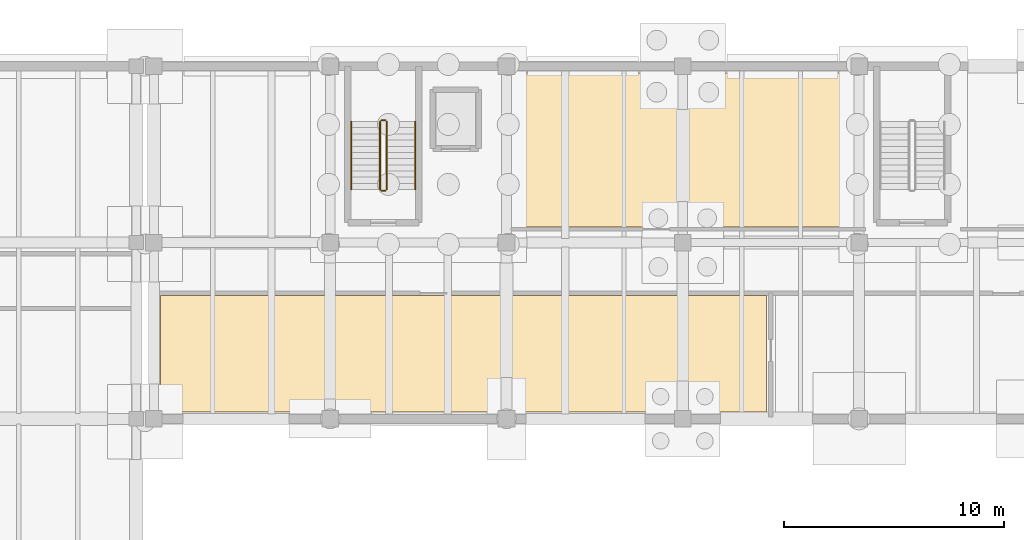
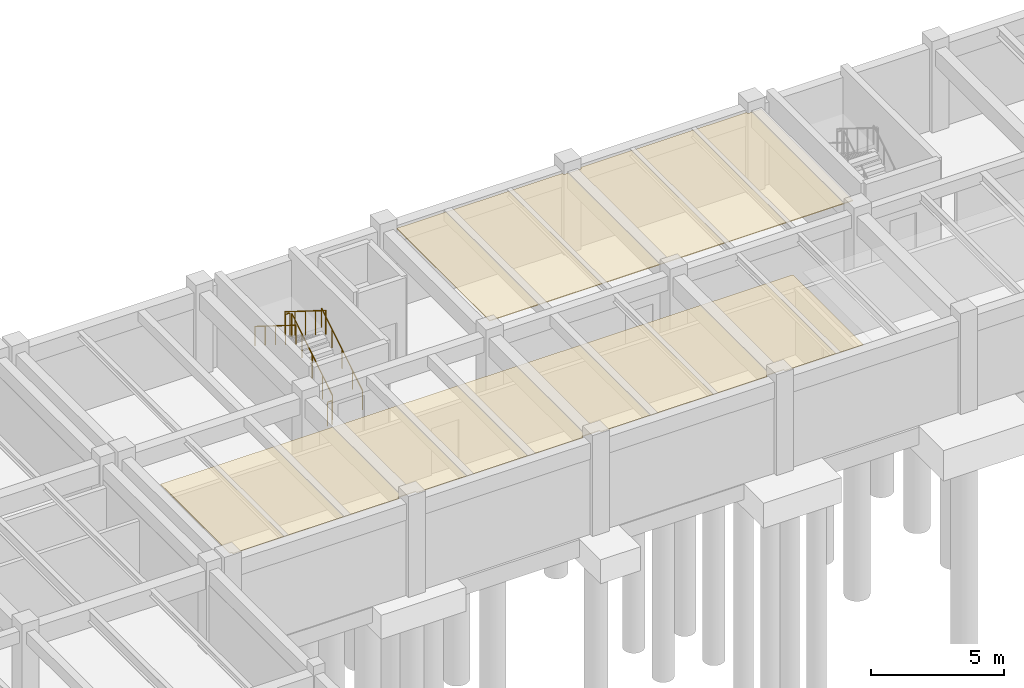
# One storey, part 23 of 25: 6 railings, 2 coverings.
"""IFC4 building model written with IfcOpenShell, lengths in metres."""

from ifc_helpers import new_model, si_unit, direction, frame, origin, origin_2d, place, context, subcontext, project, spatial, polyline, circle, outline, extrude, material, layer, layer_set, type_object, element, save


model = new_model("IFC4")

# Units and contexts
model_context = context("Model", 3, precision=1e-05, world=origin(), true_north=direction((0.0, 1.0)))
body_context = subcontext(model_context, "Body", "Model", "MODEL_VIEW")
ifc_project = project(units=[si_unit("LENGTHUNIT", "METRE"), si_unit("AREAUNIT", "SQUARE_METRE"), si_unit("VOLUMEUNIT", "CUBIC_METRE"), si_unit("PLANEANGLEUNIT", "RADIAN"), si_unit("MASSUNIT", "GRAM", prefix="KILO")], contexts=[model_context])

# Site, building, storey
site_placement = place(None, origin())
site = spatial("IfcSite", under=ifc_project, at=site_placement, CompositionType="ELEMENT")
building_placement = place(site_placement, origin())
building = spatial("IfcBuilding", under=site, at=building_placement, Name="Tlaxcora Railside Police Headquarters", CompositionType="ELEMENT")
storey_placement = place(building_placement, frame((0.0, 0.0, -4.199951171875)))
storey = spatial("IfcBuildingStorey", under=building, at=storey_placement, Name="B1", CompositionType="ELEMENT", Elevation=-4.199951171875)

# Coverings
ifc_material_1 = material(Name="Mineral-fibre acoustic ceiling tile")
ifc_layer = layer(ifc_material_1, 0.034912109375, Name="Mineral-fibre acoustic ceiling tile")
ifc_layer_set = layer_set([ifc_layer], Name="Mineral-fibre acoustic ceiling tile")
covering_type = type_object("IfcCoveringType", Name="Acoustic Suspended Ceiling CLG-01", PredefinedType="CEILING", material=ifc_layer_set)
covering_1_placement = place(storey_placement, frame((0.0, 0.0, 3.68505859375)))
element("IfcCovering", 1, at=covering_1_placement, inside=storey, type_object=covering_type, Name="High-Security Evidence Property Vault suspended ceiling", PredefinedType="CEILING", context=body_context, shape_type="SweptSolid", body=[
    extrude(outline(polyline([(111.18505859375, 77.18505859375), (111.18505859375, 77.10009765625), (118.4150390625, 77.10009765625), (118.4150390625, 77.18505859375), (119.18505859375, 77.18505859375), (119.18505859375, 77.10009765625), (126.4150390625, 77.10009765625), (126.4150390625, 77.18505859375), (127.18505859375, 77.18505859375), (127.18505859375, 77.10009765625), (130.60009765625, 77.10009765625), (130.60009765625, 82.39990234375), (103.10009765625, 82.39990234375), (103.10009765625, 77.18505859375), (103.18505859375, 77.18505859375), (103.18505859375, 77.10009765625), (110.4150390625, 77.10009765625), (110.4150390625, 77.18505859375), (111.18505859375, 77.18505859375)])), origin(), (0.0, 0.0, 1.0), 0.034912109375),
])
covering_2_placement = place(storey_placement, frame((0.0, 0.0, 3.68505859375)))
element("IfcCovering", 2, at=covering_2_placement, inside=storey, type_object=covering_type, Name="Chain-of-Custody Archive Room suspended ceiling", PredefinedType="CEILING", context=body_context, shape_type="SweptSolid", body=[
    extrude(outline(polyline([(135.0, 85.5), (135.0, 92.4150390625), (134.4150390625, 92.4150390625), (134.4150390625, 92.5), (127.18505859375, 92.5), (127.18505859375, 92.4150390625), (126.4150390625, 92.4150390625), (126.4150390625, 92.5), (119.199951171875, 92.5), (119.199951171875, 85.5), (135.0, 85.5)])), origin(), (0.0, 0.0, 1.0), 0.034912109375),
])

# Railings
ifc_material_2 = material(Name="Steel ASTM A992 Grade 50", Category="steel")
railing_type_1 = type_object("IfcRailingType", Name="Stair Well Guard Balustrade GR-02", PredefinedType="BALUSTRADE", material=ifc_material_2)
railing_1_placement = place(storey_placement, frame((113.360107421875, 87.2099609375, 0.175048828125)))
element("IfcRailing", 3, at=railing_1_placement, inside=storey, type_object=railing_type_1, Name="B1 ST3 stair guard 1", PredefinedType="BALUSTRADE", context=body_context, shape_type="SweptSolid", body=[
    extrude(circle(Radius=0.02392578125, at=origin_2d()), frame((0.0, 0.0, 1.09619140625), z_axis=(0.0, 0.848028513186, 0.529950602248), x_axis=(-1.0, 0.0, 0.0)), (0.0, 0.0, 1.0), 3.632080078125),
    extrude(circle(Radius=0.02099609375, at=origin_2d()), origin(), (0.0, 0.0, 1.0), 1.072021484375),
    extrude(circle(Radius=0.02099609375, at=origin_2d()), frame((0.0, 0.77001953125, 0.481201171875)), (0.0, 0.0, 1.0), 1.072021484375),
    extrude(circle(Radius=0.02099609375, at=origin_2d()), frame((0.0, 1.5400390625, 0.96240234375)), (0.0, 0.0, 1.0), 1.072021484375),
    extrude(circle(Radius=0.02099609375, at=origin_2d()), frame((0.0, 2.31005859375, 1.443603515625)), (0.0, 0.0, 1.0), 1.072021484375),
    extrude(circle(Radius=0.02099609375, at=origin_2d()), frame((0.0, 3.080078125, 1.9248046875)), (0.0, 0.0, 1.0), 1.072021484375),
])
railing_2_placement = place(storey_placement, frame((113.31005859375, 90.340087890625, 2.099853515625)))
element("IfcRailing", 4, at=railing_2_placement, inside=storey, type_object=railing_type_1, Name="B1 ST3 stair guard 2", PredefinedType="BALUSTRADE", context=body_context, shape_type="SweptSolid", body=[
    extrude(circle(Radius=0.02392578125, at=origin_2d()), frame((0.0, 0.0, 1.09619140625), z_axis=(-1.0, 0.0, 0.0), x_axis=(0.0, -1.0, 0.0)), (0.0, 0.0, 1.0), 0.199951171875),
    extrude(circle(Radius=0.02099609375, at=origin_2d()), origin(), (0.0, 0.0, 1.0), 1.072021484375),
    extrude(circle(Radius=0.02099609375, at=origin_2d()), frame((-0.199951171875, 0.0, 0.0)), (0.0, 0.0, 1.0), 1.072021484375),
])
railing_3_placement = place(storey_placement, frame((113.06005859375, 90.2900390625, 2.27490234375)))
element("IfcRailing", 5, at=railing_3_placement, inside=storey, type_object=railing_type_1, Name="B1 ST3 stair guard 3", PredefinedType="BALUSTRADE", context=body_context, shape_type="SweptSolid", body=[
    extrude(circle(Radius=0.02392578125, at=origin_2d()), frame((0.0, 0.0, 1.09619140625), z_axis=(0.0, -0.847998304005, 0.529998940003), x_axis=(1.0, 0.0, 0.0)), (0.0, 0.0, 1.0), 3.632080078125),
    extrude(circle(Radius=0.02099609375, at=origin_2d()), origin(), (0.0, 0.0, 1.0), 1.072021484375),
    extrude(circle(Radius=0.02099609375, at=origin_2d()), frame((0.0, -0.77001953125, 0.481201171875)), (0.0, 0.0, 1.0), 1.072021484375),
    extrude(circle(Radius=0.02099609375, at=origin_2d()), frame((0.0, -1.5400390625, 0.96240234375)), (0.0, 0.0, 1.0), 1.072021484375),
    extrude(circle(Radius=0.02099609375, at=origin_2d()), frame((0.0, -2.31005859375, 1.44384765625)), (0.0, 0.0, 1.0), 1.072021484375),
    extrude(circle(Radius=0.02099609375, at=origin_2d()), frame((0.0, -3.080078125, 1.925048828125)), (0.0, 0.0, 1.0), 1.072021484375),
])
railing_4_placement = place(storey_placement, frame((113.31005859375, 87.159912109375, 0.0)))
element("IfcRailing", 6, at=railing_4_placement, inside=storey, type_object=railing_type_1, Name="B1 ST3 stair guard 4", PredefinedType="BALUSTRADE", context=body_context, shape_type="SweptSolid", body=[
    extrude(circle(Radius=0.02392578125, at=origin_2d()), frame((0.0, 0.0, 1.09619140625), z_axis=(-1.0, 0.0, 0.0), x_axis=(0.0, -1.0, 0.0)), (0.0, 0.0, 1.0), 0.199951171875),
    extrude(circle(Radius=0.02099609375, at=origin_2d()), origin(), (0.0, 0.0, 1.0), 1.072021484375),
    extrude(circle(Radius=0.02099609375, at=origin_2d()), frame((-0.199951171875, 0.0, 0.0)), (0.0, 0.0, 1.0), 1.072021484375),
])
railing_type_2 = type_object("IfcRailingType", Name="Stair and Ramp Handrail HR-01", PredefinedType="HANDRAIL", material=ifc_material_2)
railing_5_placement = place(storey_placement, frame((114.659912109375, 87.2099609375, 0.175048828125)))
element("IfcRailing", 7, at=railing_5_placement, inside=storey, type_object=railing_type_2, Name="B1 ST3 stair handrail 1", PredefinedType="HANDRAIL", context=body_context, shape_type="SweptSolid", body=[
    extrude(circle(Radius=0.02392578125, at=origin_2d()), frame((0.0, 0.0, 0.8759765625), z_axis=(0.0, 0.848028513186, 0.529950602248), x_axis=(-1.0, 0.0, 0.0)), (0.0, 0.0, 1.0), 3.632080078125),
    extrude(circle(Radius=0.02099609375, at=origin_2d()), origin(), (0.0, 0.0, 1.0), 0.851806640625),
    extrude(circle(Radius=0.02099609375, at=origin_2d()), frame((0.0, 0.77001953125, 0.481201171875)), (0.0, 0.0, 1.0), 0.851806640625),
    extrude(circle(Radius=0.02099609375, at=origin_2d()), frame((0.0, 1.5400390625, 0.96240234375)), (0.0, 0.0, 1.0), 0.851806640625),
    extrude(circle(Radius=0.02099609375, at=origin_2d()), frame((0.0, 2.31005859375, 1.443603515625)), (0.0, 0.0, 1.0), 0.851806640625),
    extrude(circle(Radius=0.02099609375, at=origin_2d()), frame((0.0, 3.080078125, 1.9248046875)), (0.0, 0.0, 1.0), 0.851806640625),
])
railing_6_placement = place(storey_placement, frame((111.760009765625, 90.2900390625, 2.27490234375)))
element("IfcRailing", 8, at=railing_6_placement, inside=storey, type_object=railing_type_2, Name="B1 ST3 stair handrail 2", PredefinedType="HANDRAIL", context=body_context, shape_type="SweptSolid", body=[
    extrude(circle(Radius=0.02392578125, at=origin_2d()), frame((0.0, 0.0, 0.8759765625), z_axis=(0.0, -0.847998304005, 0.529998940003), x_axis=(1.0, 0.0, 0.0)), (0.0, 0.0, 1.0), 3.632080078125),
    extrude(circle(Radius=0.02099609375, at=origin_2d()), origin(), (0.0, 0.0, 1.0), 0.851806640625),
    extrude(circle(Radius=0.02099609375, at=origin_2d()), frame((0.0, -0.77001953125, 0.481201171875)), (0.0, 0.0, 1.0), 0.851806640625),
    extrude(circle(Radius=0.02099609375, at=origin_2d()), frame((0.0, -1.5400390625, 0.96240234375)), (0.0, 0.0, 1.0), 0.851806640625),
    extrude(circle(Radius=0.02099609375, at=origin_2d()), frame((0.0, -2.31005859375, 1.44384765625)), (0.0, 0.0, 1.0), 0.851806640625),
    extrude(circle(Radius=0.02099609375, at=origin_2d()), frame((0.0, -3.080078125, 1.925048828125)), (0.0, 0.0, 1.0), 0.851806640625),
])

save(model, "model.ifc")
